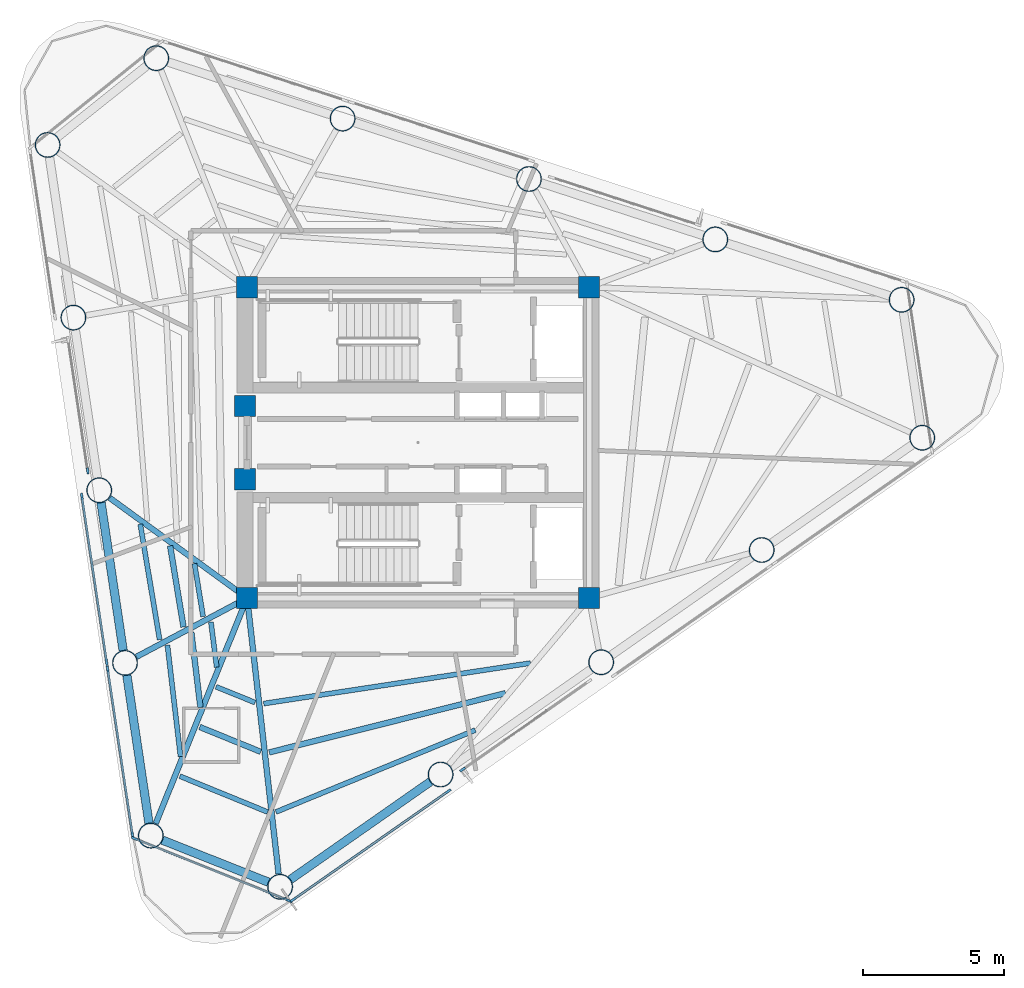
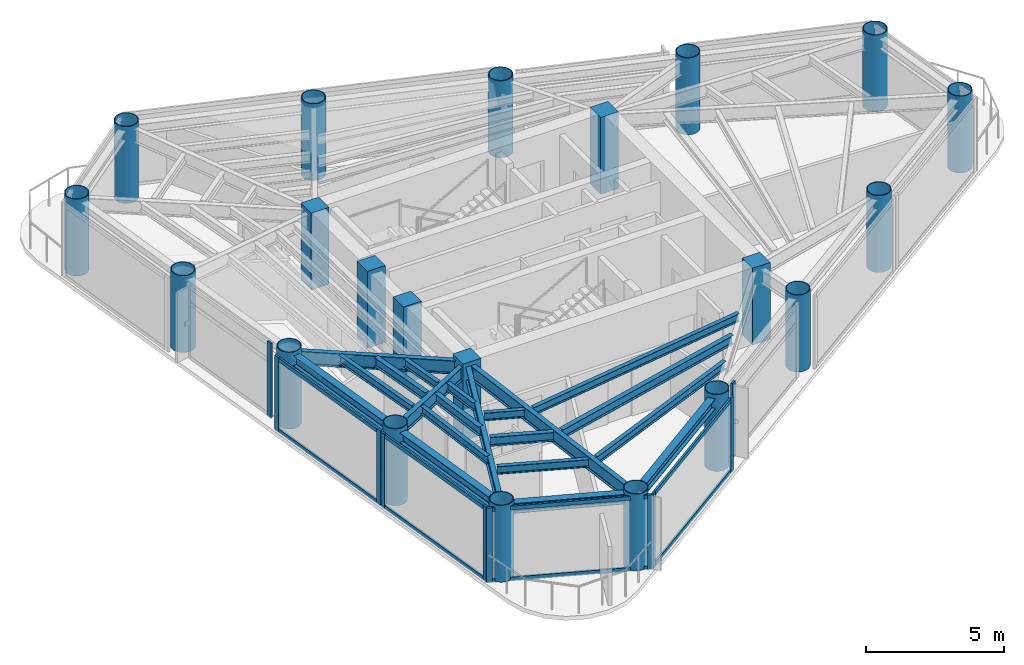
# One storey, part 1 of 9: 21 columns, 20 beams, 18 members, 6 elements without a shape of their own.
"""IFC4 building model written with IfcOpenShell, lengths in metres."""

from ifc_helpers import new_model, si_unit, direction, frame, origin, origin_2d, place, context, subcontext, project, spatial, rectangle, hollow_circle, i_section, extrude, source, transform, mapped, material, layer, layer_set, material_profile, profile_set, type_object, element, aggregate, save


model = new_model("IFC4")

# Units and contexts
model_context = context("Model", 3, precision=1e-05, world=origin(), true_north=direction((0.0, 1.0)))
body_context = subcontext(model_context, "Body", "Model", "MODEL_VIEW")
ifc_project = project(units=[si_unit("LENGTHUNIT", "METRE"), si_unit("AREAUNIT", "SQUARE_METRE"), si_unit("VOLUMEUNIT", "CUBIC_METRE"), si_unit("PLANEANGLEUNIT", "RADIAN"), si_unit("MASSUNIT", "GRAM", prefix="KILO")], contexts=[model_context])

# Site, building, storey
site_placement = place(None, origin())
site = spatial("IfcSite", under=ifc_project, at=site_placement, CompositionType="ELEMENT")
building_placement = place(site_placement, origin())
building = spatial("IfcBuilding", under=site, at=building_placement, Name="Yunling Apex Tower", CompositionType="ELEMENT")
storey_placement = place(building_placement, frame((0.0, 0.0, 267.75)))
storey = spatial("IfcBuildingStorey", under=building, at=storey_placement, Name="L65", CompositionType="ELEMENT", Elevation=267.75)

# Columns
ifc_material_1 = material(Name="Concrete C50", Category="concrete")
ifc_material_profile_1 = material_profile(ifc_material_1, rectangle(XDim=0.75, YDim=0.75, at=origin_2d()))
ifc_profile_set_1 = profile_set([ifc_material_profile_1], Name="Concrete C50")
column_type_1 = type_object("IfcColumnType", Name="PC-SRC-4", PredefinedType="COLUMN", material=ifc_profile_set_1)
shared_shape_1 = source(origin(), body_context, "Body", "SweptSolid", [
    extrude(rectangle(XDim=0.75, YDim=0.75, at=origin_2d()), origin(), (0.0, 0.0, 1.0), 3.39990234375),
])
for number, where, z_axis, x_axis, name in (
    (1, (-6.050048828125, -5.5, 0.0), (0.0, 0.0, 1.0), (1.0, 0.0, 0.0), "L65 Core Spine Column CC-SW"),
    (2, (6.050048828125, -5.5, 0.0), (0.0, 0.0, 1.0), (1.0, 0.0, 0.0), "L65 Core Spine Column CC-SE"),
    (3, (6.050048828125, 5.5, 0.0), (0.0, 0.0, 1.0), (1.0, 0.0, 0.0), "L65 Core Spine Column CC-NE"),
    (4, (-6.050048828125, 5.5, 0.0), (0.0, 0.0, 1.0), (1.0, 0.0, 0.0), "L65 Core Spine Column CC-NW"),
    (5, (-6.125, -1.300048828125, 0.0), (0.0, 0.0, 1.0), (1.0, 0.0, 0.0), "L65 Core West Portal Jamb Column S"),
    (6, (-6.125, 1.300048828125, 0.0), (0.0, 0.0, 1.0), (1.0, 0.0, 0.0), "L65 Core West Portal Jamb Column N"),
):
    element("IfcColumn", number, at=place(storey_placement, frame(where, z_axis=z_axis, x_axis=x_axis)), inside=storey, type_object=column_type_1, Name=name, PredefinedType="COLUMN", context=body_context, shape_type="MappedRepresentation", body=[
        mapped(shared_shape_1, transform((0.0, 0.0, 0.0), scale=1.0)),
    ])
ifc_material_2 = material(Name="Steel Q355B", Category="steel")
ifc_material_profile_2 = material_profile(ifc_material_2, hollow_circle(Radius=0.449951171875, WallThickness=0.031982421875, at=origin_2d()))
ifc_profile_set_2 = profile_set([ifc_material_profile_2], Name="Steel Q355B")
column_type_2 = type_object("IfcColumnType", Name="MC-CFST-6", PredefinedType="COLUMN", material=ifc_profile_set_2)
shared_shape_2 = source(origin(), body_context, "Body", "SweptSolid", [
    extrude(hollow_circle(Radius=0.449951171875, WallThickness=0.031982421875, at=origin_2d()), origin(), (0.0, 0.0, 1.0), 3.39990234375),
])
for number, where, z_axis, x_axis, name in (
    (7, (-4.8837890625, -15.716796875, 0.0), (0.0, 0.0, 1.0), (1.0, 0.0, 0.0), "L65 Perimeter CFST Mega-Column P01"),
    (8, (0.797119140625, -11.744873046875, 0.0), (0.0, 0.0, 1.0), (1.0, 0.0, 0.0), "L65 Perimeter CFST Mega-Column P02"),
    (9, (6.47802734375, -7.77294921875, 0.0), (0.0, 0.0, 1.0), (1.0, 0.0, 0.0), "L65 Perimeter CFST Mega-Column P03"),
    (10, (12.15869140625, -3.801025390625, 0.0), (0.0, 0.0, 1.0), (1.0, 0.0, 0.0), "L65 Perimeter CFST Mega-Column P04"),
    (11, (17.839599609375, 0.1708984375, 0.0), (0.0, 0.0, 1.0), (1.0, 0.0, 0.0), "L65 Perimeter CFST Mega-Column P05"),
    (12, (17.110107421875, 5.052490234375, 0.0), (0.0, 0.0, 1.0), (1.0, 0.0, 0.0), "L65 Perimeter CFST Mega-Column P06"),
    (13, (10.51611328125, 7.18994140625, 0.0), (0.0, 0.0, 1.0), (1.0, 0.0, 0.0), "L65 Perimeter CFST Mega-Column P07"),
    (14, (3.92236328125, 9.327392578125, 0.0), (0.0, 0.0, 1.0), (1.0, 0.0, 0.0), "L65 Perimeter CFST Mega-Column P08"),
    (15, (-2.671630859375, 11.46484375, 0.0), (0.0, 0.0, 1.0), (1.0, 0.0, 0.0), "L65 Perimeter CFST Mega-Column P09"),
    (16, (-9.265625, 13.602294921875, 0.0), (0.0, 0.0, 1.0), (1.0, 0.0, 0.0), "L65 Perimeter CFST Mega-Column P10"),
    (17, (-13.10986328125, 10.532470703125, 0.0), (0.0, 0.0, 1.0), (1.0, 0.0, 0.0), "L65 Perimeter CFST Mega-Column P11"),
    (18, (-12.19677734375, 4.423095703125, 0.0), (0.0, 0.0, 1.0), (1.0, 0.0, 0.0), "L65 Perimeter CFST Mega-Column P12"),
    (19, (-11.28369140625, -1.686279296875, 0.0), (0.0, 0.0, 1.0), (1.0, 0.0, 0.0), "L65 Perimeter CFST Mega-Column P13"),
    (20, (-10.37060546875, -7.7958984375, 0.0), (0.0, 0.0, 1.0), (1.0, 0.0, 0.0), "L65 Perimeter CFST Mega-Column P14"),
    (21, (-9.45751953125, -13.9052734375, 0.0), (0.0, 0.0, 1.0), (1.0, 0.0, 0.0), "L65 Perimeter CFST Mega-Column P15"),
):
    element("IfcColumn", number, at=place(storey_placement, frame(where, z_axis=z_axis, x_axis=x_axis)), inside=storey, type_object=column_type_2, Name=name, PredefinedType="COLUMN", context=body_context, shape_type="MappedRepresentation", body=[
        mapped(shared_shape_2, transform((0.0, 0.0, 0.0), scale=1.0)),
    ])

# Beams
ifc_material_profile_3 = material_profile(ifc_material_2, i_section(OverallWidth=0.300048828125, OverallDepth=0.43994140625, WebThickness=0.010986328125, FlangeThickness=0.01806640625, FilletRadius=0.02197265625, at=origin_2d()))
ifc_profile_set_3 = profile_set([ifc_material_profile_3], Name="Steel Q355B")
beam_type_1 = type_object("IfcBeamType", Name="BP-SPN-3", PredefinedType="SPANDREL", material=ifc_profile_set_3)
shared_shape_3 = source(origin(), body_context, "Body", "SweptSolid", [
    extrude(i_section(OverallWidth=0.300048828125, OverallDepth=0.43994140625, WebThickness=0.010986328125, FlangeThickness=0.01806640625, FilletRadius=0.02197265625, at=origin_2d()), origin(), (0.0, 0.0, 1.0), 6.043701171875),
])
beam_1_placement = place(storey_placement, frame((-4.52001953125, -15.46240234375, 3.0), z_axis=(0.819546828705, 0.5730122124, 0.0), x_axis=(-0.5730122124, 0.819546828705, 0.0)))
element("IfcBeam", 22, at=beam_1_placement, inside=storey, type_object=beam_type_1, Name="L65 Perimeter Spandrel Beam 1", PredefinedType="SPANDREL", context=body_context, shape_type="MappedRepresentation", body=[
    mapped(shared_shape_3, transform((0.0, 0.0, 0.0), scale=1.0)),
])
shared_shape_4 = source(origin(), body_context, "Body", "SweptSolid", [
    extrude(i_section(OverallWidth=0.300048828125, OverallDepth=0.43994140625, WebThickness=0.010986328125, FlangeThickness=0.01806640625, FilletRadius=0.02197265625, at=origin_2d()), origin(), (0.0, 0.0, 1.0), 5.289306640625),
])
for number, where, z_axis, x_axis, name in (
    (23, (-11.218017578125, -2.12548828125, 3.0), (0.147796471114, -0.989017797174, 0.0), (0.989017797174, 0.147796471114, 0.0), "L65 Perimeter Spandrel Beam 13"),
    (24, (-10.304931640625, -8.23486328125, 3.0), (0.147796471114, -0.989017797174, 0.0), (0.989017797174, 0.147796471114, 0.0), "L65 Perimeter Spandrel Beam 14"),
):
    element("IfcBeam", number, at=place(storey_placement, frame(where, z_axis=z_axis, x_axis=x_axis)), inside=storey, type_object=beam_type_1, Name=name, PredefinedType="SPANDREL", context=body_context, shape_type="MappedRepresentation", body=[
        mapped(shared_shape_4, transform((0.0, 0.0, 0.0), scale=1.0)),
    ])
shared_shape_5 = source(origin(), body_context, "Body", "SweptSolid", [
    extrude(i_section(OverallWidth=0.300048828125, OverallDepth=0.43994140625, WebThickness=0.010986328125, FlangeThickness=0.01806640625, FilletRadius=0.02197265625, at=origin_2d()), origin(), (0.0, 0.0, 1.0), 4.03173828125),
])
beam_2_placement = place(storey_placement, frame((-9.044921875, -14.068603515625, 3.0), z_axis=(0.92970771396, -0.368298203368, 0.0), x_axis=(0.368298203368, 0.92970771396, 0.0)))
element("IfcBeam", 25, at=beam_2_placement, inside=storey, type_object=beam_type_1, Name="L65 Perimeter Spandrel Beam 15", PredefinedType="SPANDREL", context=body_context, shape_type="MappedRepresentation", body=[
    mapped(shared_shape_5, transform((0.0, 0.0, 0.0), scale=1.0)),
])
ifc_material_profile_4 = material_profile(ifc_material_2, i_section(OverallWidth=0.199951171875, OverallDepth=0.60009765625, WebThickness=0.010986328125, FlangeThickness=0.01708984375, FilletRadius=0.02197265625, at=origin_2d()))
ifc_profile_set_4 = profile_set([ifc_material_profile_4], Name="Steel Q355B")
beam_type_2 = type_object("IfcBeamType", Name="BG-PRI-5", PredefinedType="USERDEFINED", material=ifc_profile_set_4)
shared_shape_6 = source(origin(), body_context, "Body", "SweptSolid", [
    extrude(i_section(OverallWidth=0.199951171875, OverallDepth=0.60009765625, WebThickness=0.010986328125, FlangeThickness=0.01708984375, FilletRadius=0.02197265625, at=origin_2d()), origin(), (0.0, 0.0, 1.0), 9.745361328125),
])
beam_3_placement = place(storey_placement, frame((-4.935791015625, -15.261962890625, 2.919921875), z_axis=(-0.11341163891, 0.993548086486, 0.0), x_axis=(-0.993548086486, -0.11341163891, 0.0)))
element("IfcBeam", 26, at=beam_3_placement, inside=storey, type_object=beam_type_2, Name="L65 Radial Primary Girder R01", ObjectType="GIRDER", PredefinedType="USERDEFINED", context=body_context, shape_type="MappedRepresentation", body=[
    mapped(shared_shape_6, transform((0.0, 0.0, 0.0), scale=1.0)),
])
shared_shape_7 = source(origin(), body_context, "Body", "SweptSolid", [
    extrude(i_section(OverallWidth=0.199951171875, OverallDepth=0.60009765625, WebThickness=0.010986328125, FlangeThickness=0.01708984375, FilletRadius=0.02197265625, at=origin_2d()), origin(), (0.0, 0.0, 1.0), 5.937744140625),
])
beam_4_placement = place(storey_placement, frame((-10.91357421875, -1.9560546875, 2.919921875), z_axis=(0.808193442209, -0.588917107894, 0.0), x_axis=(0.588917107894, 0.808193442209, 0.0)))
element("IfcBeam", 27, at=beam_4_placement, inside=storey, type_object=beam_type_2, Name="L65 Radial Primary Girder R13", ObjectType="GIRDER", PredefinedType="USERDEFINED", context=body_context, shape_type="MappedRepresentation", body=[
    mapped(shared_shape_7, transform((0.0, 0.0, 0.0), scale=1.0)),
])
shared_shape_8 = source(origin(), body_context, "Body", "SweptSolid", [
    extrude(i_section(OverallWidth=0.199951171875, OverallDepth=0.60009765625, WebThickness=0.010986328125, FlangeThickness=0.01708984375, FilletRadius=0.02197265625, at=origin_2d()), origin(), (0.0, 0.0, 1.0), 4.354736328125),
])
beam_5_placement = place(storey_placement, frame((-9.96630859375, -7.580810546875, 2.919921875), z_axis=(0.883098298021, 0.469188017784, 0.0), x_axis=(-0.469188017784, 0.883098298021, 0.0)))
element("IfcBeam", 28, at=beam_5_placement, inside=storey, type_object=beam_type_2, Name="L65 Radial Primary Girder R14", ObjectType="GIRDER", PredefinedType="USERDEFINED", context=body_context, shape_type="MappedRepresentation", body=[
    mapped(shared_shape_8, transform((0.0, 0.0, 0.0), scale=1.0)),
])
shared_shape_9 = source(origin(), body_context, "Body", "SweptSolid", [
    extrude(i_section(OverallWidth=0.199951171875, OverallDepth=0.60009765625, WebThickness=0.010986328125, FlangeThickness=0.01708984375, FilletRadius=0.02197265625, at=origin_2d()), origin(), (0.0, 0.0, 1.0), 8.531494140625),
])
beam_6_placement = place(storey_placement, frame((-9.285400390625, -13.480712890625, 2.919921875), z_axis=(0.375703780252, 0.926739806798, 0.0), x_axis=(-0.926739806798, 0.375703780252, 0.0)))
element("IfcBeam", 29, at=beam_6_placement, inside=storey, type_object=beam_type_2, Name="L65 Radial Primary Girder R15", ObjectType="GIRDER", PredefinedType="USERDEFINED", context=body_context, shape_type="MappedRepresentation", body=[
    mapped(shared_shape_9, transform((0.0, 0.0, 0.0), scale=1.0)),
])
ifc_material_profile_5 = material_profile(ifc_material_2, i_section(OverallWidth=0.199951171875, OverallDepth=0.39990234375, WebThickness=0.008056640625, FlangeThickness=0.012939453125, FilletRadius=0.01611328125, at=origin_2d()))
ifc_profile_set_5 = profile_set([ifc_material_profile_5], Name="Steel Q355B")
beam_type_3 = type_object("IfcBeamType", Name="BS-SEC-4", PredefinedType="BEAM", material=ifc_profile_set_5)
shared_shape_10 = source(origin(), body_context, "Body", "SweptSolid", [
    extrude(i_section(OverallWidth=0.199951171875, OverallDepth=0.39990234375, WebThickness=0.008056640625, FlangeThickness=0.012939453125, FilletRadius=0.01611328125, at=origin_2d()), origin(), (0.0, 0.0, 1.0), 8.62109375),
])
beam_7_placement = place(storey_placement, frame((-5.266845703125, -10.962646484375, 3.02001953125), z_axis=(0.96999740229, 0.243115280374, 0.0), x_axis=(-0.243115280374, 0.96999740229, 0.0)))
element("IfcBeam", 30, at=beam_7_placement, inside=storey, type_object=beam_type_3, Name="L65 Composite Floor Beam BS-1", PredefinedType="BEAM", context=body_context, shape_type="MappedRepresentation", body=[
    mapped(shared_shape_10, transform((0.0, 0.0, 0.0), scale=1.0)),
])
ifc_material_profile_6 = material_profile(ifc_material_2, i_section(OverallWidth=0.175048828125, OverallDepth=0.35009765625, WebThickness=0.007080078125, FlangeThickness=0.010986328125, FilletRadius=0.013916015625, at=origin_2d()))
ifc_profile_set_6 = profile_set([ifc_material_profile_6], Name="Steel Q355B")
beam_type_4 = type_object("IfcBeamType", Name="BJ-JST-1", PredefinedType="JOIST", material=ifc_profile_set_6)
shared_shape_11 = source(origin(), body_context, "Body", "SweptSolid", [
    extrude(i_section(OverallWidth=0.175048828125, OverallDepth=0.35009765625, WebThickness=0.007080078125, FlangeThickness=0.010986328125, FilletRadius=0.013916015625, at=origin_2d()), origin(), (0.0, 0.0, 1.0), 7.626953125),
])
beam_8_placement = place(storey_placement, frame((-5.031005859375, -13.071044921875, 3.044921875), z_axis=(0.924936429691, 0.380121823934, 0.0), x_axis=(-0.380121823934, 0.924936429691, 0.0)))
element("IfcBeam", 31, at=beam_8_placement, inside=storey, type_object=beam_type_4, Name="L65 Composite Floor Joist BJ1-1", PredefinedType="JOIST", context=body_context, shape_type="MappedRepresentation", body=[
    mapped(shared_shape_11, transform((0.0, 0.0, 0.0), scale=1.0)),
])
shared_shape_12 = source(origin(), body_context, "Body", "SweptSolid", [
    extrude(i_section(OverallWidth=0.175048828125, OverallDepth=0.35009765625, WebThickness=0.007080078125, FlangeThickness=0.010986328125, FilletRadius=0.013916015625, at=origin_2d()), origin(), (0.0, 0.0, 1.0), 9.546630859375),
])
beam_9_placement = place(storey_placement, frame((-5.462646484375, -9.23486328125, 3.044921875), z_axis=(0.988668394837, 0.150115972004, 0.0), x_axis=(-0.150115972004, 0.988668394837, 0.0)))
element("IfcBeam", 32, at=beam_9_placement, inside=storey, type_object=beam_type_4, Name="L65 Composite Floor Joist BJ3-1", PredefinedType="JOIST", context=body_context, shape_type="MappedRepresentation", body=[
    mapped(shared_shape_12, transform((0.0, 0.0, 0.0), scale=1.0)),
])
shared_shape_13 = source(origin(), body_context, "Body", "SweptSolid", [
    extrude(i_section(OverallWidth=0.199951171875, OverallDepth=0.39990234375, WebThickness=0.008056640625, FlangeThickness=0.012939453125, FilletRadius=0.01611328125, at=origin_2d()), origin(), (0.0, 0.0, 1.0), 2.910400390625),
])
beam_10_placement = place(storey_placement, frame((-8.77587890625, -3.652587890625, 3.02001953125), z_axis=(0.163405899616, -0.986558924733, 0.0), x_axis=(0.986558924733, 0.163405899616, 0.0)))
element("IfcBeam", 33, at=beam_10_placement, inside=storey, type_object=beam_type_3, Name="L65 Composite Floor Beam BS-13", PredefinedType="BEAM", context=body_context, shape_type="MappedRepresentation", body=[
    mapped(shared_shape_13, transform((0.0, 0.0, 0.0), scale=1.0)),
])
shared_shape_14 = source(origin(), body_context, "Body", "SweptSolid", [
    extrude(i_section(OverallWidth=0.175048828125, OverallDepth=0.35009765625, WebThickness=0.007080078125, FlangeThickness=0.010986328125, FilletRadius=0.013916015625, at=origin_2d()), origin(), (0.0, 0.0, 1.0), 4.14697265625),
])
beam_11_placement = place(storey_placement, frame((-9.831298828125, -2.88330078125, 3.044921875), z_axis=(0.165134037528, -0.986271133943, 0.0), x_axis=(0.986271133943, 0.165134037528, 0.0)))
element("IfcBeam", 34, at=beam_11_placement, inside=storey, type_object=beam_type_4, Name="L65 Composite Floor Joist BJ1-13", PredefinedType="JOIST", context=body_context, shape_type="MappedRepresentation", body=[
    mapped(shared_shape_14, transform((0.0, 0.0, 0.0), scale=1.0)),
])
shared_shape_15 = source(origin(), body_context, "Body", "SweptSolid", [
    extrude(i_section(OverallWidth=0.175048828125, OverallDepth=0.35009765625, WebThickness=0.007080078125, FlangeThickness=0.010986328125, FilletRadius=0.013916015625, at=origin_2d()), origin(), (0.0, 0.0, 1.0), 1.898681640625),
])
beam_12_placement = place(storey_placement, frame((-7.91259765625, -4.281982421875, 3.044921875), z_axis=(0.160602772894, -0.987019123087, 0.0), x_axis=(0.987019123087, 0.160602772894, 0.0)))
element("IfcBeam", 35, at=beam_12_placement, inside=storey, type_object=beam_type_4, Name="L65 Composite Floor Joist BJ3-13", PredefinedType="JOIST", context=body_context, shape_type="MappedRepresentation", body=[
    mapped(shared_shape_15, transform((0.0, 0.0, 0.0), scale=1.0)),
])
shared_shape_16 = source(origin(), body_context, "Body", "SweptSolid", [
    extrude(i_section(OverallWidth=0.199951171875, OverallDepth=0.39990234375, WebThickness=0.008056640625, FlangeThickness=0.012939453125, FilletRadius=0.01611328125, at=origin_2d()), origin(), (0.0, 0.0, 1.0), 2.670166015625),
])
beam_13_placement = place(storey_placement, frame((-8.024169921875, -6.718017578125, 3.02001953125), z_axis=(0.12060169382, -0.992700977862, 0.0), x_axis=(0.992700977862, 0.12060169382, 0.0)))
element("IfcBeam", 36, at=beam_13_placement, inside=storey, type_object=beam_type_3, Name="L65 Composite Floor Beam BS-14", PredefinedType="BEAM", context=body_context, shape_type="MappedRepresentation", body=[
    mapped(shared_shape_16, transform((0.0, 0.0, 0.0), scale=1.0)),
])
shared_shape_17 = source(origin(), body_context, "Body", "SweptSolid", [
    extrude(i_section(OverallWidth=0.175048828125, OverallDepth=0.35009765625, WebThickness=0.007080078125, FlangeThickness=0.010986328125, FilletRadius=0.013916015625, at=origin_2d()), origin(), (0.0, 0.0, 1.0), 3.96728515625),
])
beam_14_placement = place(storey_placement, frame((-8.87060546875, -7.167724609375, 3.044921875), z_axis=(0.116919795798, -0.993141360205, 0.0), x_axis=(0.993141360205, 0.116919795798, 0.0)))
element("IfcBeam", 37, at=beam_14_placement, inside=storey, type_object=beam_type_4, Name="L65 Composite Floor Joist BJ1-14", PredefinedType="JOIST", context=body_context, shape_type="MappedRepresentation", body=[
    mapped(shared_shape_17, transform((0.0, 0.0, 0.0), scale=1.0)),
])
shared_shape_18 = source(origin(), body_context, "Body", "SweptSolid", [
    extrude(i_section(OverallWidth=0.175048828125, OverallDepth=0.35009765625, WebThickness=0.007080078125, FlangeThickness=0.010986328125, FilletRadius=0.013916015625, at=origin_2d()), origin(), (0.0, 0.0, 1.0), 1.608642578125),
])
beam_15_placement = place(storey_placement, frame((-7.330810546875, -6.35009765625, 3.044921875), z_axis=(0.12719111786, -0.99187822818, 0.0), x_axis=(0.99187822818, 0.12719111786, 0.0)))
element("IfcBeam", 38, at=beam_15_placement, inside=storey, type_object=beam_type_4, Name="L65 Composite Floor Joist BJ3-14", PredefinedType="JOIST", context=body_context, shape_type="MappedRepresentation", body=[
    mapped(shared_shape_18, transform((0.0, 0.0, 0.0), scale=1.0)),
])
shared_shape_19 = source(origin(), body_context, "Body", "SweptSolid", [
    extrude(i_section(OverallWidth=0.199951171875, OverallDepth=0.39990234375, WebThickness=0.008056640625, FlangeThickness=0.012939453125, FilletRadius=0.01611328125, at=origin_2d()), origin(), (0.0, 0.0, 1.0), 2.3291015625),
])
beam_16_placement = place(storey_placement, frame((-7.72705078125, -10.062255859375, 3.02001953125), z_axis=(0.926020445617, -0.377473355747, 0.0), x_axis=(0.377473355747, 0.926020445617, 0.0)))
element("IfcBeam", 39, at=beam_16_placement, inside=storey, type_object=beam_type_3, Name="L65 Composite Floor Beam BS-15", PredefinedType="BEAM", context=body_context, shape_type="MappedRepresentation", body=[
    mapped(shared_shape_19, transform((0.0, 0.0, 0.0), scale=1.0)),
])
shared_shape_20 = source(origin(), body_context, "Body", "SweptSolid", [
    extrude(i_section(OverallWidth=0.175048828125, OverallDepth=0.35009765625, WebThickness=0.007080078125, FlangeThickness=0.010986328125, FilletRadius=0.013916015625, at=origin_2d()), origin(), (0.0, 0.0, 1.0), 3.354736328125),
])
beam_17_placement = place(storey_placement, frame((-8.43212890625, -11.802001953125, 3.044921875), z_axis=(0.925654732165, -0.378369286306, 0.0), x_axis=(0.378369286306, 0.925654732165, 0.0)))
element("IfcBeam", 40, at=beam_17_placement, inside=storey, type_object=beam_type_4, Name="L65 Composite Floor Joist BJ1-15", PredefinedType="JOIST", context=body_context, shape_type="MappedRepresentation", body=[
    mapped(shared_shape_20, transform((0.0, 0.0, 0.0), scale=1.0)),
])
shared_shape_21 = source(origin(), body_context, "Body", "SweptSolid", [
    extrude(i_section(OverallWidth=0.175048828125, OverallDepth=0.35009765625, WebThickness=0.007080078125, FlangeThickness=0.010986328125, FilletRadius=0.013916015625, at=origin_2d()), origin(), (0.0, 0.0, 1.0), 1.48974609375),
])
beam_18_placement = place(storey_placement, frame((-7.14990234375, -8.638916015625, 3.044921875), z_axis=(0.926714592409, -0.375765970008, 0.0), x_axis=(0.375765970008, 0.926714592409, 0.0)))
element("IfcBeam", 41, at=beam_18_placement, inside=storey, type_object=beam_type_4, Name="L65 Composite Floor Joist BJ3-15", PredefinedType="JOIST", context=body_context, shape_type="MappedRepresentation", body=[
    mapped(shared_shape_21, transform((0.0, 0.0, 0.0), scale=1.0)),
])

# Curtain wall, members
ifc_material_3 = material(Name="Bronze anodised aluminium", Category="aluminium")
ifc_layer = layer(ifc_material_3, 0.219970703125)
ifc_layer_set = layer_set([ifc_layer], Name="Bronze anodised aluminium")
curtain_wall_type = type_object("IfcCurtainWallType", Name="CW-SYS-4", PredefinedType="NOTDEFINED", material=ifc_layer_set)
curtain_wall_1_placement = place(storey_placement, origin())
curtain_wall_1 = element("IfcCurtainWall", 42, at=curtain_wall_1_placement, inside=storey, type_object=curtain_wall_type, Name="CW-L65-F1-B1", PredefinedType="NOTDEFINED")
ifc_material_profile_7 = material_profile(ifc_material_3, rectangle(XDim=0.080078125, YDim=0.219970703125, at=origin_2d()))
ifc_profile_set_7 = profile_set([ifc_material_profile_7], Name="Bronze anodised aluminium")
member_type_1 = type_object("IfcMemberType", Name="CW-MUL-4", PredefinedType="MULLION", material=ifc_profile_set_7)
shared_shape_22 = source(origin(), body_context, "Body", "SweptSolid", [
    extrude(rectangle(XDim=0.080078125, YDim=0.219970703125, at=origin_2d()), origin(), (0.0, 0.0, 1.0), 3.320068359375),
])
member_1_placement = place(storey_placement, frame((-4.418701171875, -16.172607421875, -0.050048828125), z_axis=(0.0, 0.0, 1.0), x_axis=(-0.573000403744, 0.819555084976, 0.0)))
member_1 = element("IfcMember", 43, at=member_1_placement, type_object=member_type_1, Name="CW-SYS-4 mullion 1", PredefinedType="MULLION", context=body_context, shape_type="MappedRepresentation", body=[
    mapped(shared_shape_22, transform((0.0, 0.0, 0.0), scale=1.0)),
])
member_2_placement = place(storey_placement, frame((1.0654296875, -12.338134765625, -0.050048828125), z_axis=(0.0, 0.0, 1.0), x_axis=(-0.573000403744, 0.819555084976, 0.0)))
member_2 = element("IfcMember", 44, at=member_2_placement, type_object=member_type_1, Name="CW-SYS-4 mullion 2", PredefinedType="MULLION", context=body_context, shape_type="MappedRepresentation", body=[
    mapped(shared_shape_22, transform((0.0, 0.0, 0.0), scale=1.0)),
])

# Curtain wall, member
curtain_wall_2_placement = place(storey_placement, origin())
curtain_wall_2 = element("IfcCurtainWall", 45, at=curtain_wall_2_placement, inside=storey, type_object=curtain_wall_type, Name="CW-L65-F1-B2", PredefinedType="NOTDEFINED")
member_3_placement = place(storey_placement, frame((1.575439453125, -11.56689453125, -0.050048828125), z_axis=(0.0, 0.0, 1.0), x_axis=(-0.57299879219, 0.819556211708, 0.0)))
member_3 = element("IfcMember", 46, at=member_3_placement, type_object=member_type_1, Name="CW-SYS-4 mullion 1", PredefinedType="MULLION", context=body_context, shape_type="MappedRepresentation", body=[
    mapped(shared_shape_22, transform((0.0, 0.0, 0.0), scale=1.0)),
])
aggregate(curtain_wall_2, [member_3])

curtain_wall_3_placement = place(storey_placement, origin())
curtain_wall_3 = element("IfcCurtainWall", 47, at=curtain_wall_3_placement, inside=storey, type_object=curtain_wall_type, Name="CW-L65-F3-B2", PredefinedType="NOTDEFINED")
member_4_placement = place(storey_placement, frame((-11.689697265625, -0.998779296875, -0.050048828125), z_axis=(0.0, 0.0, 1.0), x_axis=(0.989016661745, 0.147804068926, 0.0)))
member_4 = element("IfcMember", 48, at=member_4_placement, type_object=member_type_1, Name="CW-SYS-4 mullion 2", PredefinedType="MULLION", context=body_context, shape_type="MappedRepresentation", body=[
    mapped(shared_shape_22, transform((0.0, 0.0, 0.0), scale=1.0)),
])
aggregate(curtain_wall_3, [member_4])

# Curtain wall, members
curtain_wall_4_placement = place(storey_placement, origin())
curtain_wall_4 = element("IfcCurtainWall", 49, at=curtain_wall_4_placement, inside=storey, type_object=curtain_wall_type, Name="CW-L65-F3-B3", PredefinedType="NOTDEFINED")
member_5_placement = place(storey_placement, frame((-11.89892578125, -1.899658203125, -0.050048828125), z_axis=(0.0, 0.0, 1.0), x_axis=(0.989016174309, 0.147807330522, 0.0)))
member_5 = element("IfcMember", 50, at=member_5_placement, type_object=member_type_1, Name="CW-SYS-4 mullion 1", PredefinedType="MULLION", context=body_context, shape_type="MappedRepresentation", body=[
    mapped(shared_shape_22, transform((0.0, 0.0, 0.0), scale=1.0)),
])
member_6_placement = place(storey_placement, frame((-11.021240234375, -7.771728515625, -0.050048828125), z_axis=(0.0, 0.0, 1.0), x_axis=(0.989016174309, 0.147807330522, 0.0)))
member_6 = element("IfcMember", 51, at=member_6_placement, type_object=member_type_1, Name="CW-SYS-4 mullion 2", PredefinedType="MULLION", context=body_context, shape_type="MappedRepresentation", body=[
    mapped(shared_shape_22, transform((0.0, 0.0, 0.0), scale=1.0)),
])

curtain_wall_5_placement = place(storey_placement, origin())
curtain_wall_5 = element("IfcCurtainWall", 52, at=curtain_wall_5_placement, inside=storey, type_object=curtain_wall_type, Name="CW-L65-F3-B4", PredefinedType="NOTDEFINED")
member_7_placement = place(storey_placement, frame((-10.98583984375, -8.009033203125, -0.050048828125), z_axis=(0.0, 0.0, 1.0), x_axis=(0.989018603576, 0.147791074763, 0.0)))
member_7 = element("IfcMember", 53, at=member_7_placement, type_object=member_type_1, Name="CW-SYS-4 mullion 1", PredefinedType="MULLION", context=body_context, shape_type="MappedRepresentation", body=[
    mapped(shared_shape_22, transform((0.0, 0.0, 0.0), scale=1.0)),
])
member_8_placement = place(storey_placement, frame((-10.1083984375, -13.881103515625, -0.050048828125), z_axis=(0.0, 0.0, 1.0), x_axis=(0.989018603576, 0.147791074763, 0.0)))
member_8 = element("IfcMember", 54, at=member_8_placement, type_object=member_type_1, Name="CW-SYS-4 mullion 2", PredefinedType="MULLION", context=body_context, shape_type="MappedRepresentation", body=[
    mapped(shared_shape_22, transform((0.0, 0.0, 0.0), scale=1.0)),
])

curtain_wall_6_placement = place(storey_placement, origin())
curtain_wall_6 = element("IfcCurtainWall", 55, at=curtain_wall_6_placement, inside=storey, type_object=curtain_wall_type, Name="CW-L65-CRN3", PredefinedType="NOTDEFINED")
member_9_placement = place(storey_placement, frame((-10.03369140625, -14.01171875, -0.050048828125), z_axis=(0.0, 0.0, 1.0), x_axis=(0.373009384078, 0.927827569859, 0.0)))
member_9 = element("IfcMember", 56, at=member_9_placement, type_object=member_type_1, Name="CW-SYS-4 mullion 1", PredefinedType="MULLION", context=body_context, shape_type="MappedRepresentation", body=[
    mapped(shared_shape_22, transform((0.0, 0.0, 0.0), scale=1.0)),
])
member_10_placement = place(storey_placement, frame((-4.565673828125, -16.2099609375, -0.050048828125), z_axis=(0.0, 0.0, 1.0), x_axis=(0.373009384078, 0.927827569859, 0.0)))
member_10 = element("IfcMember", 57, at=member_10_placement, type_object=member_type_1, Name="CW-SYS-4 mullion 2", PredefinedType="MULLION", context=body_context, shape_type="MappedRepresentation", body=[
    mapped(shared_shape_22, transform((0.0, 0.0, 0.0), scale=1.0)),
])

# Member
ifc_material_profile_8 = material_profile(ifc_material_3, rectangle(XDim=0.080078125, YDim=0.169921875, at=origin_2d()))
ifc_profile_set_8 = profile_set([ifc_material_profile_8], Name="Bronze anodised aluminium")
member_type_2 = type_object("IfcMemberType", Name="CW-TRN-4", PredefinedType="USERDEFINED", material=ifc_profile_set_8)
shared_shape_23 = source(origin(), body_context, "Body", "SweptSolid", [
    extrude(rectangle(XDim=0.080078125, YDim=0.169921875, at=origin_2d()), origin(), (0.0, 0.0, 1.0), 6.61962890625),
])
member_11_placement = place(storey_placement, frame((-4.389404296875, -16.15185546875, 0.0400390625), z_axis=(0.819567916002, 0.572982051255, 0.0), x_axis=(-0.572982051255, 0.819567916002, 0.0)))
member_11 = element("IfcMember", 58, at=member_11_placement, type_object=member_type_2, Name="CW-SYS-4 transom 1.1", ObjectType="TRANSOM", PredefinedType="USERDEFINED", context=body_context, shape_type="MappedRepresentation", body=[
    mapped(shared_shape_23, transform((0.0, 0.0, 0.0), scale=1.0)),
])

member_12_placement = place(storey_placement, frame((-4.389404296875, -16.15185546875, 3.179931640625), z_axis=(0.819567916002, 0.572982051255, 0.0), x_axis=(-0.572982051255, 0.819567916002, 0.0)))
member_12 = element("IfcMember", 59, at=member_12_placement, type_object=member_type_2, Name="CW-SYS-4 transom 1.2", ObjectType="TRANSOM", PredefinedType="USERDEFINED", context=body_context, shape_type="MappedRepresentation", body=[
    mapped(shared_shape_23, transform((0.0, 0.0, 0.0), scale=1.0)),
])

aggregate(curtain_wall_1, [member_1, member_2, member_11, member_12])

shared_shape_24 = source(origin(), body_context, "Body", "SweptSolid", [
    extrude(rectangle(XDim=0.080078125, YDim=0.169921875, at=origin_2d()), origin(), (0.0, 0.0, 1.0), 5.8212890625),
])
member_13_placement = place(storey_placement, frame((-10.000244140625, -14.025146484375, 0.0400390625), z_axis=(0.927827385224, -0.373009843339, 0.0), x_axis=(0.373009843339, 0.927827385224, 0.0)))
member_13 = element("IfcMember", 60, at=member_13_placement, type_object=member_type_2, Name="CW-SYS-4 transom 1.1", ObjectType="TRANSOM", PredefinedType="USERDEFINED", context=body_context, shape_type="MappedRepresentation", body=[
    mapped(shared_shape_24, transform((0.0, 0.0, 0.0), scale=1.0)),
])

member_14_placement = place(storey_placement, frame((-10.000244140625, -14.025146484375, 3.179931640625), z_axis=(0.927827385224, -0.373009843339, 0.0), x_axis=(0.373009843339, 0.927827385224, 0.0)))
member_14 = element("IfcMember", 61, at=member_14_placement, type_object=member_type_2, Name="CW-SYS-4 transom 1.2", ObjectType="TRANSOM", PredefinedType="USERDEFINED", context=body_context, shape_type="MappedRepresentation", body=[
    mapped(shared_shape_24, transform((0.0, 0.0, 0.0), scale=1.0)),
])

aggregate(curtain_wall_6, [member_9, member_10, member_13, member_14])

shared_shape_25 = source(origin(), body_context, "Body", "SweptSolid", [
    extrude(rectangle(XDim=0.080078125, YDim=0.169921875, at=origin_2d()), origin(), (0.0, 0.0, 1.0), 5.865234375),
])
member_15_placement = place(storey_placement, frame((-11.8935546875, -1.935302734375, 0.0400390625), z_axis=(0.147811211092, -0.989015594354, 0.0), x_axis=(0.989015594354, 0.147811211092, 0.0)))
member_15 = element("IfcMember", 62, at=member_15_placement, type_object=member_type_2, Name="CW-SYS-4 transom 1.1", ObjectType="TRANSOM", PredefinedType="USERDEFINED", context=body_context, shape_type="MappedRepresentation", body=[
    mapped(shared_shape_25, transform((0.0, 0.0, 0.0), scale=1.0)),
])

member_16_placement = place(storey_placement, frame((-11.8935546875, -1.935302734375, 3.179931640625), z_axis=(0.147811211092, -0.989015594354, 0.0), x_axis=(0.989015594354, 0.147811211092, 0.0)))
member_16 = element("IfcMember", 63, at=member_16_placement, type_object=member_type_2, Name="CW-SYS-4 transom 1.2", ObjectType="TRANSOM", PredefinedType="USERDEFINED", context=body_context, shape_type="MappedRepresentation", body=[
    mapped(shared_shape_25, transform((0.0, 0.0, 0.0), scale=1.0)),
])

aggregate(curtain_wall_4, [member_5, member_6, member_15, member_16])

member_17_placement = place(storey_placement, frame((-10.98046875, -8.044677734375, 0.0400390625), z_axis=(0.147811211092, -0.989015594354, 0.0), x_axis=(0.989015594354, 0.147811211092, 0.0)))
member_17 = element("IfcMember", 64, at=member_17_placement, type_object=member_type_2, Name="CW-SYS-4 transom 1.1", ObjectType="TRANSOM", PredefinedType="USERDEFINED", context=body_context, shape_type="MappedRepresentation", body=[
    mapped(shared_shape_25, transform((0.0, 0.0, 0.0), scale=1.0)),
])

member_18_placement = place(storey_placement, frame((-10.98046875, -8.044677734375, 3.179931640625), z_axis=(0.147811211092, -0.989015594354, 0.0), x_axis=(0.989015594354, 0.147811211092, 0.0)))
member_18 = element("IfcMember", 65, at=member_18_placement, type_object=member_type_2, Name="CW-SYS-4 transom 1.2", ObjectType="TRANSOM", PredefinedType="USERDEFINED", context=body_context, shape_type="MappedRepresentation", body=[
    mapped(shared_shape_25, transform((0.0, 0.0, 0.0), scale=1.0)),
])

aggregate(curtain_wall_5, [member_7, member_8, member_17, member_18])

save(model, "model.ifc")
